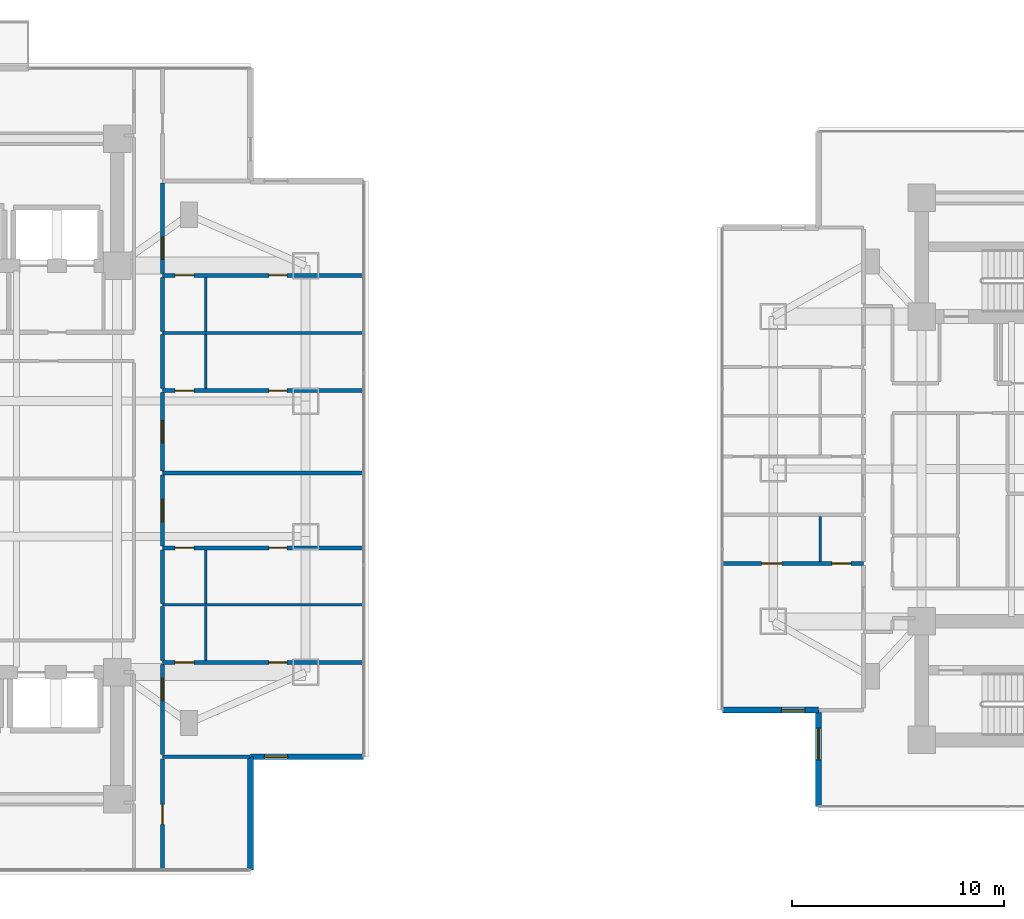
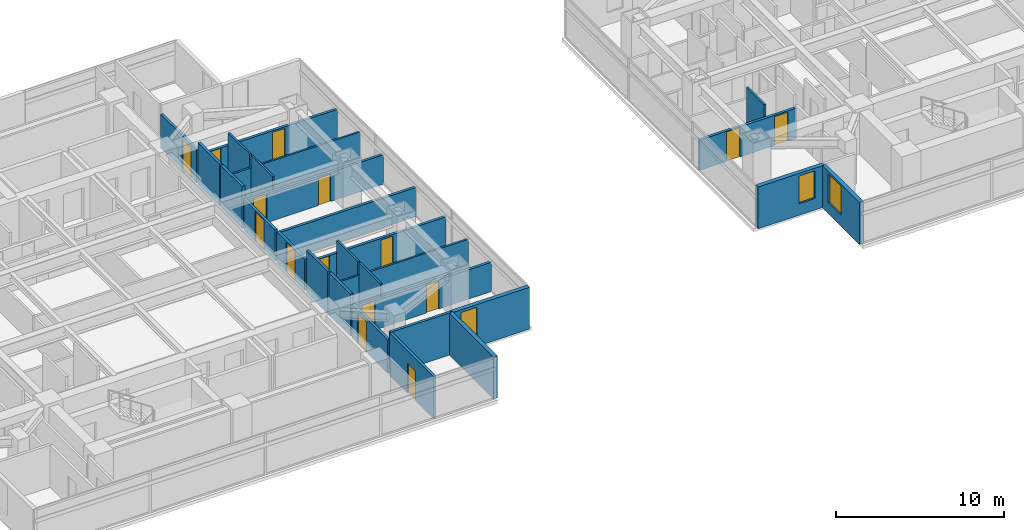
# One storey, part 15 of 25: 27 walls, 15 doors, 3 windows, 18 openings.
"""IFC4 building model written with IfcOpenShell, lengths in metres."""

from ifc_helpers import new_model, si_unit, direction, frame, frame_2d, origin, place, context, subcontext, project, spatial, rectangle, extrude, material, layer, layer_set, type_object, element, fill, save


model = new_model("IFC4")

# Units and contexts
model_context = context("Model", 3, precision=1e-05, world=origin(), true_north=direction((0.0, 1.0)))
body_context = subcontext(model_context, "Body", "Model", "MODEL_VIEW")
ifc_project = project(units=[si_unit("LENGTHUNIT", "METRE"), si_unit("AREAUNIT", "SQUARE_METRE"), si_unit("VOLUMEUNIT", "CUBIC_METRE"), si_unit("PLANEANGLEUNIT", "RADIAN"), si_unit("MASSUNIT", "GRAM", prefix="KILO")], contexts=[model_context])

# Site, building, storey
site_placement = place(None, origin())
site = spatial("IfcSite", under=ifc_project, at=site_placement, CompositionType="ELEMENT")
building_placement = place(site_placement, origin())
building = spatial("IfcBuilding", under=site, at=building_placement, Name="Mirazonda Arch Towers", CompositionType="ELEMENT")
storey_placement = place(building_placement, frame((0.0, 0.0, 58.699951171875)))
storey = spatial("IfcBuildingStorey", under=building, at=storey_placement, Name="L16", CompositionType="ELEMENT", Elevation=58.699951171875)

# Wall, opening, window
ifc_material_1 = material(Name="Precast Concrete C40/50", Category="concrete")
ifc_layer_1 = layer(ifc_material_1, 0.280029296875, Name="WALL-EXT-WALL-280")
ifc_layer_set_1 = layer_set([ifc_layer_1], Name="Precast Concrete C40/50")
wall_type_1 = type_object("IfcWallType", Name="WALL-EXT-WALL-280", PredefinedType="SOLIDWALL", material=ifc_layer_set_1)
wall_1_placement = place(storey_placement, frame((36.300048828125, 14.404052734375, 0.0), z_axis=(0.0, 0.0, 1.0), x_axis=(1.0, 0.0, 0.0)))
wall_1 = element("IfcWall", 1, at=wall_1_placement, inside=storey, type_object=wall_type_1, Name="L16 T1 Corner Notch Return Wall WL-L16-T1-CSE1", PredefinedType="SOLIDWALL", context=body_context, shape_type="SweptSolid", body=[
    extrude(rectangle(XDim=5.33984375, YDim=0.280029296875, at=frame_2d((2.669921875, 0.0))), origin(), (0.0, 0.0, 1.0), 3.0400390625),
])
opening_1_placement = place(wall_1_placement, frame((0.64990234375, 0.0, 0.85009765625)))
opening_1 = element("IfcOpeningElement", 2, at=opening_1_placement, cuts=wall_1, Name="Opening WN-108", PredefinedType="OPENING", context=body_context, shape_type="SweptSolid", body=[
    extrude(rectangle(XDim=1.10009765625, YDim=2.0, at=frame_2d((0.550048828125, 1.0))), frame((0.0, 0.14990234375, 0.0), z_axis=(0.0, -1.0, 0.0), x_axis=(1.0, 0.0, 0.0)), (0.0, 0.0, 1.0), 0.300048828125),
])
ifc_material_2 = material(Name="Insulated Low-E Solar Glass", Category="glass")
window_type_1 = type_object("IfcWindowType", Name="WIN-NOTCH-1100x2000", PartitioningType="SINGLE_PANEL", PredefinedType="WINDOW", material=ifc_material_2)
window_1_placement = place(opening_1_placement, origin())
window_1 = element("IfcWindow", 3, at=window_1_placement, inside=storey, type_object=window_type_1, Name="L16 Punched Facade Window WN-L16-T1-CSE1", OverallHeight=2.0, OverallWidth=1.10009765625, PartitioningType="SINGLE_PANEL", PredefinedType="WINDOW", context=body_context, shape_type="SweptSolid", body=[
    extrude(rectangle(XDim=1.10009765625, YDim=2.0, at=frame_2d((0.550048828125, 1.0))), frame((0.0, 0.030029296875, 0.0), z_axis=(0.0, -1.0, 0.0), x_axis=(1.0, 0.0, 0.0)), (0.0, 0.0, 1.0), 0.06005859375),
])
fill(opening_1, window_1)

# Wall
wall_2_placement = place(storey_placement, frame((36.300048828125, 9.06396484375, 0.0), z_axis=(0.0, 0.0, 1.0), x_axis=(0.0, 1.0, 0.0)))
element("IfcWall", 4, at=wall_2_placement, inside=storey, type_object=wall_type_1, Name="L16 T1 Corner Notch Return Wall WL-L16-T1-CSE2", PredefinedType="SOLIDWALL", context=body_context, shape_type="SweptSolid", body=[
    extrude(rectangle(XDim=5.340087890625, YDim=0.280029296875, at=frame_2d((2.669921875, 0.0))), origin(), (0.0, 0.0, 1.0), 3.0400390625),
])

# Wall, opening, window
wall_3_placement = place(storey_placement, frame((63.1298828125, 16.603515625, 0.0), z_axis=(0.0, 0.0, 1.0), x_axis=(0.0, -1.0, 0.0)))
wall_3 = element("IfcWall", 5, at=wall_3_placement, inside=storey, type_object=wall_type_1, Name="L16 T2 Notched SW Corner Wall WL-L16-T2-CSW", PredefinedType="SOLIDWALL", context=body_context, shape_type="SweptSolid", body=[
    extrude(rectangle(XDim=4.546142578125, YDim=0.280029296875, at=frame_2d((2.27294921875, 0.0))), origin(), (0.0, 0.0, 1.0), 3.0400390625),
])
opening_2_placement = place(wall_3_placement, frame((0.85009765625, 0.0, 0.7900390625)))
opening_2 = element("IfcOpeningElement", 6, at=opening_2_placement, cuts=wall_3, Name="Opening WN-120", PredefinedType="OPENING", context=body_context, shape_type="SweptSolid", body=[
    extrude(rectangle(XDim=1.5, YDim=2.10009765625, at=frame_2d((0.75, 1.050048828125))), frame((0.0, 0.14990234375, 0.0), z_axis=(0.0, -1.0, 0.0), x_axis=(1.0, 0.0, 0.0)), (0.0, 0.0, 1.0), 0.300048828125),
])
window_type_2 = type_object("IfcWindowType", Name="WIN-HTL-1500x2100", PartitioningType="SINGLE_PANEL", PredefinedType="WINDOW", material=ifc_material_2)
window_2_placement = place(opening_2_placement, origin())
window_2 = element("IfcWindow", 7, at=window_2_placement, inside=storey, type_object=window_type_2, Name="L16 Punched Facade Window WN-L16-T2-CSW", OverallHeight=2.10009765625, OverallWidth=1.5, PartitioningType="SINGLE_PANEL", PredefinedType="WINDOW", context=body_context, shape_type="SweptSolid", body=[
    extrude(rectangle(XDim=1.5, YDim=2.10009765625, at=frame_2d((0.75, 1.050048828125))), frame((0.0, 0.030029296875, 0.0), z_axis=(0.0, -1.0, 0.0), x_axis=(1.0, 0.0, 0.0)), (0.0, 0.0, 1.0), 0.06005859375),
])
fill(opening_2, window_2)

wall_4_placement = place(storey_placement, frame((58.583984375, 16.603515625, 0.0), z_axis=(0.0, 0.0, 1.0), x_axis=(1.0, 0.0, 0.0)))
wall_4 = element("IfcWall", 8, at=wall_4_placement, inside=storey, type_object=wall_type_1, Name="L16 T2 Corner Notch Return Wall WL-L16-T2-CSW2", PredefinedType="SOLIDWALL", context=body_context, shape_type="SweptSolid", body=[
    extrude(rectangle(XDim=4.5458984375, YDim=0.280029296875, at=frame_2d((2.27294921875, 0.0))), origin(), (0.0, 0.0, 1.0), 3.0400390625),
])
opening_3_placement = place(wall_4_placement, frame((2.7958984375, 0.0, 0.85009765625)))
opening_3 = element("IfcOpeningElement", 9, at=opening_3_placement, cuts=wall_4, Name="Opening WN-108", PredefinedType="OPENING", context=body_context, shape_type="SweptSolid", body=[
    extrude(rectangle(XDim=1.10009765625, YDim=2.0, at=frame_2d((0.550048828125, 1.0))), frame((0.0, 0.14990234375, 0.0), z_axis=(0.0, -1.0, 0.0), x_axis=(1.0, 0.0, 0.0)), (0.0, 0.0, 1.0), 0.300048828125),
])
window_3_placement = place(opening_3_placement, origin())
window_3 = element("IfcWindow", 10, at=window_3_placement, inside=storey, type_object=window_type_1, Name="L16 Punched Facade Window WN-L16-T2-CSW2", OverallHeight=2.0, OverallWidth=1.10009765625, PartitioningType="SINGLE_PANEL", PredefinedType="WINDOW", context=body_context, shape_type="SweptSolid", body=[
    extrude(rectangle(XDim=1.10009765625, YDim=2.0, at=frame_2d((0.550048828125, 1.0))), frame((0.0, 0.030029296875, 0.0), z_axis=(0.0, -1.0, 0.0), x_axis=(1.0, 0.0, 0.0)), (0.0, 0.0, 1.0), 0.06005859375),
])
fill(opening_3, window_3)

# Wall
ifc_material_3 = material(Name="Fire-Rated Gypsum Twin-Stud Assembly")
ifc_layer_2 = layer(ifc_material_3, 0.179931640625, Name="WALL-PART-DEMISE-180")
ifc_layer_set_2 = layer_set([ifc_layer_2], Name="Fire-Rated Gypsum Twin-Stud Assembly")
wall_type_2 = type_object("IfcWallType", Name="WALL-PART-DEMISE-180", PredefinedType="PARTITIONING", material=ifc_layer_set_2)
wall_5_placement = place(storey_placement, frame((32.139892578125, 14.404052734375, 0.0), z_axis=(0.0, 0.0, 1.0), x_axis=(1.0, 0.0, 0.0)))
element("IfcWall", 11, at=wall_5_placement, inside=storey, type_object=wall_type_2, Name="L16 Interior Partition 005", PredefinedType="PARTITIONING", context=body_context, shape_type="SweptSolid", body=[
    extrude(rectangle(XDim=4.14013671875, YDim=0.179931640625, at=frame_2d((2.070068359375, 0.0))), origin(), (0.0, 0.0, 1.0), 3.06005859375),
])

# Wall, openings, doors
wall_6_placement = place(storey_placement, frame((32.139892578125, 18.85693359375, 0.0), z_axis=(0.0, 0.0, 1.0), x_axis=(1.0, 0.0, 0.0)))
wall_6 = element("IfcWall", 12, at=wall_6_placement, inside=storey, type_object=wall_type_2, Name="L16 Interior Partition 015", PredefinedType="PARTITIONING", context=body_context, shape_type="SweptSolid", body=[
    extrude(rectangle(XDim=9.5, YDim=0.179931640625, at=frame_2d((4.75, 0.0))), origin(), (0.0, 0.0, 1.0), 2.125),
])
opening_4_placement = place(wall_6_placement, frame((5.02490234375, 0.0, 0.0)))
opening_4 = element("IfcOpeningElement", 13, at=opening_4_placement, cuts=wall_6, Name="Opening DR-128", PredefinedType="OPENING", context=body_context, shape_type="SweptSolid", body=[
    extrude(rectangle(XDim=0.85009765625, YDim=2.010009765625, at=frame_2d((0.425048828125, 1.0048828125))), frame((0.0, 0.099853515625, 0.0), z_axis=(0.0, -1.0, 0.0), x_axis=(1.0, 0.0, 0.0)), (0.0, 0.0, 1.0), 0.199951171875),
])
opening_5_placement = place(wall_6_placement, frame((0.590087890625, 0.0, 0.0)))
opening_5 = element("IfcOpeningElement", 14, at=opening_5_placement, cuts=wall_6, Name="Opening DR-120", PredefinedType="OPENING", context=body_context, shape_type="SweptSolid", body=[
    extrude(rectangle(XDim=0.89990234375, YDim=2.10009765625, at=frame_2d((0.449951171875, 1.050048828125))), frame((0.0, 0.099853515625, 0.0), z_axis=(0.0, -1.0, 0.0), x_axis=(1.0, 0.0, 0.0)), (0.0, 0.0, 1.0), 0.199951171875),
])
ifc_material_4 = material(Name="Architectural Brushed Steel S355", Category="steel")
door_type_1 = type_object("IfcDoorType", Name="DOOR-RISER-FD60-850", OperationType="NOTDEFINED", PredefinedType="DOOR", material=ifc_material_4)
door_1_placement = place(opening_4_placement, origin())
door_1 = element("IfcDoor", 15, at=door_1_placement, inside=storey, type_object=door_type_1, Name="L16 Guestroom Study 1 Door", OperationType="SINGLE_SWING_LEFT", OverallHeight=2.010009765625, OverallWidth=0.85009765625, PredefinedType="DOOR", context=body_context, shape_type="SweptSolid", body=[
    extrude(rectangle(XDim=0.85009765625, YDim=2.010009765625, at=frame_2d((0.425048828125, 1.0048828125))), frame((0.0, 0.02490234375, 0.0), z_axis=(0.0, -1.0, 0.0), x_axis=(1.0, 0.0, 0.0)), (0.0, 0.0, 1.0), 0.050048828125),
])
fill(opening_4, door_1)
door_type_2 = type_object("IfcDoorType", Name="DOOR-WC-900", OperationType="NOTDEFINED", PredefinedType="DOOR", material=ifc_material_4)
door_2_placement = place(opening_5_placement, origin())
door_2 = element("IfcDoor", 16, at=door_2_placement, inside=storey, type_object=door_type_2, Name="L16 En-Suite Bathroom 1 Door", OperationType="SINGLE_SWING_RIGHT", OverallHeight=2.10009765625, OverallWidth=0.89990234375, PredefinedType="DOOR", context=body_context, shape_type="SweptSolid", body=[
    extrude(rectangle(XDim=0.89990234375, YDim=2.10009765625, at=frame_2d((0.449951171875, 1.050048828125))), frame((0.0, 0.02490234375, 0.0), z_axis=(0.0, -1.0, 0.0), x_axis=(1.0, 0.0, 0.0)), (0.0, 0.0, 1.0), 0.050048828125),
])
fill(opening_5, door_2)

wall_7_placement = place(storey_placement, frame((58.583984375, 23.533935546875, 0.0), z_axis=(0.0, 0.0, 1.0), x_axis=(1.0, 0.0, 0.0)))
wall_7 = element("IfcWall", 17, at=wall_7_placement, inside=storey, type_object=wall_type_2, Name="L16 Interior Partition 024", PredefinedType="PARTITIONING", context=body_context, shape_type="SweptSolid", body=[
    extrude(rectangle(XDim=6.666015625, YDim=0.179931640625, at=frame_2d((3.3330078125, 0.0))), origin(), (0.0, 0.0, 1.0), 2.196044921875),
])
opening_6_placement = place(wall_7_placement, frame((1.85791015625, 0.0, 0.0)))
opening_6 = element("IfcOpeningElement", 18, at=opening_6_placement, cuts=wall_7, Name="Opening DR-104", PredefinedType="OPENING", context=body_context, shape_type="SweptSolid", body=[
    extrude(rectangle(XDim=0.949951171875, YDim=2.14990234375, at=frame_2d((0.47509765625, 1.074951171875))), frame((0.0, 0.099853515625, 0.0), z_axis=(0.0, -1.0, 0.0), x_axis=(1.0, 0.0, 0.0)), (0.0, 0.0, 1.0), 0.199951171875),
])
opening_7_placement = place(wall_7_placement, frame((5.176025390625, 0.0, 0.0)))
opening_7 = element("IfcOpeningElement", 19, at=opening_7_placement, cuts=wall_7, Name="Opening DR-120", PredefinedType="OPENING", context=body_context, shape_type="SweptSolid", body=[
    extrude(rectangle(XDim=0.89990234375, YDim=2.10009765625, at=frame_2d((0.449951171875, 1.050048828125))), frame((0.0, 0.099853515625, 0.0), z_axis=(0.0, -1.0, 0.0), x_axis=(1.0, 0.0, 0.0)), (0.0, 0.0, 1.0), 0.199951171875),
])
door_type_3 = type_object("IfcDoorType", Name="DOOR-ROOM-950", OperationType="NOTDEFINED", PredefinedType="DOOR", material=ifc_material_4)
door_3_placement = place(opening_6_placement, origin())
door_3 = element("IfcDoor", 20, at=door_3_placement, inside=storey, type_object=door_type_3, Name="L16 Guestroom Study 1 Door", OperationType="SINGLE_SWING_RIGHT", OverallHeight=2.14990234375, OverallWidth=0.949951171875, PredefinedType="DOOR", context=body_context, shape_type="SweptSolid", body=[
    extrude(rectangle(XDim=0.949951171875, YDim=2.14990234375, at=frame_2d((0.47509765625, 1.074951171875))), frame((0.0, 0.02490234375, 0.0), z_axis=(0.0, -1.0, 0.0), x_axis=(1.0, 0.0, 0.0)), (0.0, 0.0, 1.0), 0.050048828125),
])
fill(opening_6, door_3)
door_4_placement = place(opening_7_placement, origin())
door_4 = element("IfcDoor", 21, at=door_4_placement, inside=storey, type_object=door_type_2, Name="L16 En-Suite Bathroom 1 Door", OperationType="SINGLE_SWING_LEFT", OverallHeight=2.10009765625, OverallWidth=0.89990234375, PredefinedType="DOOR", context=body_context, shape_type="SweptSolid", body=[
    extrude(rectangle(XDim=0.89990234375, YDim=2.10009765625, at=frame_2d((0.449951171875, 1.050048828125))), frame((0.0, 0.02490234375, 0.0), z_axis=(0.0, -1.0, 0.0), x_axis=(1.0, 0.0, 0.0)), (0.0, 0.0, 1.0), 0.050048828125),
])
fill(opening_7, door_4)

wall_8_placement = place(storey_placement, frame((32.139892578125, 24.27099609375, 0.0), z_axis=(0.0, 0.0, 1.0), x_axis=(1.0, 0.0, 0.0)))
wall_8 = element("IfcWall", 22, at=wall_8_placement, inside=storey, type_object=wall_type_2, Name="L16 Interior Partition 026", PredefinedType="PARTITIONING", context=body_context, shape_type="SweptSolid", body=[
    extrude(rectangle(XDim=9.5, YDim=0.179931640625, at=frame_2d((4.75, 0.0))), origin(), (0.0, 0.0, 1.0), 2.125),
])
opening_8_placement = place(wall_8_placement, frame((5.02490234375, 0.0, 0.0)))
opening_8 = element("IfcOpeningElement", 23, at=opening_8_placement, cuts=wall_8, Name="Opening DR-128", PredefinedType="OPENING", context=body_context, shape_type="SweptSolid", body=[
    extrude(rectangle(XDim=0.85009765625, YDim=2.010009765625, at=frame_2d((0.425048828125, 1.0048828125))), frame((0.0, 0.099853515625, 0.0), z_axis=(0.0, -1.0, 0.0), x_axis=(1.0, 0.0, 0.0)), (0.0, 0.0, 1.0), 0.199951171875),
])
opening_9_placement = place(wall_8_placement, frame((0.590087890625, 0.0, 0.0)))
opening_9 = element("IfcOpeningElement", 24, at=opening_9_placement, cuts=wall_8, Name="Opening DR-120", PredefinedType="OPENING", context=body_context, shape_type="SweptSolid", body=[
    extrude(rectangle(XDim=0.89990234375, YDim=2.10009765625, at=frame_2d((0.449951171875, 1.050048828125))), frame((0.0, 0.099853515625, 0.0), z_axis=(0.0, -1.0, 0.0), x_axis=(1.0, 0.0, 0.0)), (0.0, 0.0, 1.0), 0.199951171875),
])
door_5_placement = place(opening_8_placement, origin())
door_5 = element("IfcDoor", 25, at=door_5_placement, inside=storey, type_object=door_type_1, Name="L16 Guestroom Study 2 Door", OperationType="SINGLE_SWING_RIGHT", OverallHeight=2.010009765625, OverallWidth=0.85009765625, PredefinedType="DOOR", context=body_context, shape_type="SweptSolid", body=[
    extrude(rectangle(XDim=0.85009765625, YDim=2.010009765625, at=frame_2d((0.425048828125, 1.0048828125))), frame((0.0, 0.02490234375, 0.0), z_axis=(0.0, -1.0, 0.0), x_axis=(1.0, 0.0, 0.0)), (0.0, 0.0, 1.0), 0.050048828125),
])
fill(opening_8, door_5)
door_6_placement = place(opening_9_placement, origin())
door_6 = element("IfcDoor", 26, at=door_6_placement, inside=storey, type_object=door_type_2, Name="L16 En-Suite Bathroom 2 Door", OperationType="SINGLE_SWING_LEFT", OverallHeight=2.10009765625, OverallWidth=0.89990234375, PredefinedType="DOOR", context=body_context, shape_type="SweptSolid", body=[
    extrude(rectangle(XDim=0.89990234375, YDim=2.10009765625, at=frame_2d((0.449951171875, 1.050048828125))), frame((0.0, 0.02490234375, 0.0), z_axis=(0.0, -1.0, 0.0), x_axis=(1.0, 0.0, 0.0)), (0.0, 0.0, 1.0), 0.050048828125),
])
fill(opening_9, door_6)

# Wall
wall_9_placement = place(storey_placement, frame((32.139892578125, 27.81103515625, 0.0), z_axis=(0.0, 0.0, 1.0), x_axis=(1.0, 0.0, 0.0)))
element("IfcWall", 27, at=wall_9_placement, inside=storey, type_object=wall_type_2, Name="L16 Interior Partition 032", PredefinedType="PARTITIONING", context=body_context, shape_type="SweptSolid", body=[
    extrude(rectangle(XDim=9.5, YDim=0.179931640625, at=frame_2d((4.75, 0.0))), origin(), (0.0, 0.0, 1.0), 2.125),
])

# Wall, openings, doors
wall_10_placement = place(storey_placement, frame((32.139892578125, 31.702880859375, 0.0), z_axis=(0.0, 0.0, 1.0), x_axis=(1.0, 0.0, 0.0)))
wall_10 = element("IfcWall", 28, at=wall_10_placement, inside=storey, type_object=wall_type_2, Name="L16 Interior Partition 037", PredefinedType="PARTITIONING", context=body_context, shape_type="SweptSolid", body=[
    extrude(rectangle(XDim=9.5, YDim=0.179931640625, at=frame_2d((4.75, 0.0))), origin(), (0.0, 0.0, 1.0), 2.125),
])
opening_10_placement = place(wall_10_placement, frame((5.02490234375, 0.0, 0.0)))
opening_10 = element("IfcOpeningElement", 29, at=opening_10_placement, cuts=wall_10, Name="Opening DR-128", PredefinedType="OPENING", context=body_context, shape_type="SweptSolid", body=[
    extrude(rectangle(XDim=0.85009765625, YDim=2.010009765625, at=frame_2d((0.425048828125, 1.0048828125))), frame((0.0, 0.099853515625, 0.0), z_axis=(0.0, -1.0, 0.0), x_axis=(1.0, 0.0, 0.0)), (0.0, 0.0, 1.0), 0.199951171875),
])
opening_11_placement = place(wall_10_placement, frame((0.590087890625, 0.0, 0.0)))
opening_11 = element("IfcOpeningElement", 30, at=opening_11_placement, cuts=wall_10, Name="Opening DR-120", PredefinedType="OPENING", context=body_context, shape_type="SweptSolid", body=[
    extrude(rectangle(XDim=0.89990234375, YDim=2.10009765625, at=frame_2d((0.449951171875, 1.050048828125))), frame((0.0, 0.099853515625, 0.0), z_axis=(0.0, -1.0, 0.0), x_axis=(1.0, 0.0, 0.0)), (0.0, 0.0, 1.0), 0.199951171875),
])
door_7_placement = place(opening_10_placement, origin())
door_7 = element("IfcDoor", 31, at=door_7_placement, inside=storey, type_object=door_type_1, Name="L16 Guestroom Study 3 Door", OperationType="SINGLE_SWING_LEFT", OverallHeight=2.010009765625, OverallWidth=0.85009765625, PredefinedType="DOOR", context=body_context, shape_type="SweptSolid", body=[
    extrude(rectangle(XDim=0.85009765625, YDim=2.010009765625, at=frame_2d((0.425048828125, 1.0048828125))), frame((0.0, 0.02490234375, 0.0), z_axis=(0.0, -1.0, 0.0), x_axis=(1.0, 0.0, 0.0)), (0.0, 0.0, 1.0), 0.050048828125),
])
fill(opening_10, door_7)
door_8_placement = place(opening_11_placement, origin())
door_8 = element("IfcDoor", 32, at=door_8_placement, inside=storey, type_object=door_type_2, Name="L16 En-Suite Bathroom 3 Door", OperationType="SINGLE_SWING_RIGHT", OverallHeight=2.10009765625, OverallWidth=0.89990234375, PredefinedType="DOOR", context=body_context, shape_type="SweptSolid", body=[
    extrude(rectangle(XDim=0.89990234375, YDim=2.10009765625, at=frame_2d((0.449951171875, 1.050048828125))), frame((0.0, 0.02490234375, 0.0), z_axis=(0.0, -1.0, 0.0), x_axis=(1.0, 0.0, 0.0)), (0.0, 0.0, 1.0), 0.050048828125),
])
fill(opening_11, door_8)

wall_11_placement = place(storey_placement, frame((32.139892578125, 37.14306640625, 0.0), z_axis=(0.0, 0.0, 1.0), x_axis=(1.0, 0.0, 0.0)))
wall_11 = element("IfcWall", 33, at=wall_11_placement, inside=storey, type_object=wall_type_2, Name="L16 Interior Partition 049", PredefinedType="PARTITIONING", context=body_context, shape_type="SweptSolid", body=[
    extrude(rectangle(XDim=9.5, YDim=0.179931640625, at=frame_2d((4.75, 0.0))), origin(), (0.0, 0.0, 1.0), 2.125),
])
opening_12_placement = place(wall_11_placement, frame((5.02490234375, 0.0, 0.0)))
opening_12 = element("IfcOpeningElement", 34, at=opening_12_placement, cuts=wall_11, Name="Opening DR-128", PredefinedType="OPENING", context=body_context, shape_type="SweptSolid", body=[
    extrude(rectangle(XDim=0.85009765625, YDim=2.010009765625, at=frame_2d((0.425048828125, 1.0048828125))), frame((0.0, 0.099853515625, 0.0), z_axis=(0.0, -1.0, 0.0), x_axis=(1.0, 0.0, 0.0)), (0.0, 0.0, 1.0), 0.199951171875),
])
opening_13_placement = place(wall_11_placement, frame((0.590087890625, 0.0, 0.0)))
opening_13 = element("IfcOpeningElement", 35, at=opening_13_placement, cuts=wall_11, Name="Opening DR-120", PredefinedType="OPENING", context=body_context, shape_type="SweptSolid", body=[
    extrude(rectangle(XDim=0.89990234375, YDim=2.10009765625, at=frame_2d((0.449951171875, 1.050048828125))), frame((0.0, 0.099853515625, 0.0), z_axis=(0.0, -1.0, 0.0), x_axis=(1.0, 0.0, 0.0)), (0.0, 0.0, 1.0), 0.199951171875),
])
door_9_placement = place(opening_12_placement, origin())
door_9 = element("IfcDoor", 36, at=door_9_placement, inside=storey, type_object=door_type_1, Name="L16 Guestroom Study 4 Door", OperationType="SINGLE_SWING_RIGHT", OverallHeight=2.010009765625, OverallWidth=0.85009765625, PredefinedType="DOOR", context=body_context, shape_type="SweptSolid", body=[
    extrude(rectangle(XDim=0.85009765625, YDim=2.010009765625, at=frame_2d((0.425048828125, 1.0048828125))), frame((0.0, 0.02490234375, 0.0), z_axis=(0.0, -1.0, 0.0), x_axis=(1.0, 0.0, 0.0)), (0.0, 0.0, 1.0), 0.050048828125),
])
fill(opening_12, door_9)
door_10_placement = place(opening_13_placement, origin())
door_10 = element("IfcDoor", 37, at=door_10_placement, inside=storey, type_object=door_type_2, Name="L16 En-Suite Bathroom 4 Door", OperationType="SINGLE_SWING_LEFT", OverallHeight=2.10009765625, OverallWidth=0.89990234375, PredefinedType="DOOR", context=body_context, shape_type="SweptSolid", body=[
    extrude(rectangle(XDim=0.89990234375, YDim=2.10009765625, at=frame_2d((0.449951171875, 1.050048828125))), frame((0.0, 0.02490234375, 0.0), z_axis=(0.0, -1.0, 0.0), x_axis=(1.0, 0.0, 0.0)), (0.0, 0.0, 1.0), 0.050048828125),
])
fill(opening_13, door_10)

# Wall, opening, door
wall_12_placement = place(storey_placement, frame((32.139892578125, 9.06396484375, 0.0), z_axis=(0.0, 0.0, 1.0), x_axis=(0.0, 1.0, 0.0)))
wall_12 = element("IfcWall", 38, at=wall_12_placement, inside=storey, type_object=wall_type_2, Name="L16 Interior Partition 103", PredefinedType="PARTITIONING", context=body_context, shape_type="SweptSolid", body=[
    extrude(rectangle(XDim=5.239990234375, YDim=0.179931640625, at=frame_2d((2.6201171875, 0.0))), origin(), (0.0, 0.0, 1.0), 3.06005859375),
])
opening_14_placement = place(wall_12_placement, frame((2.14501953125, 0.0, 0.0)))
opening_14 = element("IfcOpeningElement", 39, at=opening_14_placement, cuts=wall_12, Name="Opening DR-104", PredefinedType="OPENING", context=body_context, shape_type="SweptSolid", body=[
    extrude(rectangle(XDim=0.949951171875, YDim=2.14990234375, at=frame_2d((0.47509765625, 1.074951171875))), frame((0.0, 0.099853515625, 0.0), z_axis=(0.0, -1.0, 0.0), x_axis=(1.0, 0.0, 0.0)), (0.0, 0.0, 1.0), 0.199951171875),
])
door_11_placement = place(opening_14_placement, origin())
door_11 = element("IfcDoor", 40, at=door_11_placement, inside=storey, type_object=door_type_3, Name="L16 South Horizon Lounge Alcove East Door", OperationType="SINGLE_SWING_LEFT", OverallHeight=2.14990234375, OverallWidth=0.949951171875, PredefinedType="DOOR", context=body_context, shape_type="SweptSolid", body=[
    extrude(rectangle(XDim=0.949951171875, YDim=2.14990234375, at=frame_2d((0.47509765625, 1.074951171875))), frame((0.0, 0.02490234375, 0.0), z_axis=(0.0, -1.0, 0.0), x_axis=(1.0, 0.0, 0.0)), (0.0, 0.0, 1.0), 0.050048828125),
])
fill(opening_14, door_11)

wall_13_placement = place(storey_placement, frame((32.139892578125, 14.50390625, 0.0), z_axis=(0.0, 0.0, 1.0), x_axis=(0.0, 1.0, 0.0)))
wall_13 = element("IfcWall", 41, at=wall_13_placement, inside=storey, type_object=wall_type_2, Name="L16 Interior Partition 104", PredefinedType="PARTITIONING", context=body_context, shape_type="SweptSolid", body=[
    extrude(rectangle(XDim=4.253173828125, YDim=0.179931640625, at=frame_2d((2.12646484375, 0.0))), origin(), (0.0, 0.0, 1.0), 2.43603515625),
])
opening_15_placement = place(wall_13_placement, frame((2.551513671875, 0.0, 0.0)))
opening_15 = element("IfcOpeningElement", 42, at=opening_15_placement, cuts=wall_13, Name="Opening DR-121", PredefinedType="OPENING", context=body_context, shape_type="SweptSolid", body=[
    extrude(rectangle(XDim=1.050048828125, YDim=2.199951171875, at=frame_2d((0.52490234375, 1.10009765625))), frame((0.0, 0.099853515625, 0.0), z_axis=(0.0, -1.0, 0.0), x_axis=(1.0, 0.0, 0.0)), (0.0, 0.0, 1.0), 0.199951171875),
])
door_type_4 = type_object("IfcDoorType", Name="DOOR-SUITE-FD60-1050", OperationType="NOTDEFINED", PredefinedType="DOOR", material=ifc_material_4)
door_12_placement = place(opening_15_placement, origin())
door_12 = element("IfcDoor", 43, at=door_12_placement, inside=storey, type_object=door_type_4, Name="L16 King Hotel Guestroom 1 Door", OperationType="SINGLE_SWING_RIGHT", OverallHeight=2.199951171875, OverallWidth=1.050048828125, PredefinedType="DOOR", context=body_context, shape_type="SweptSolid", body=[
    extrude(rectangle(XDim=1.050048828125, YDim=2.199951171875, at=frame_2d((0.52490234375, 1.10009765625))), frame((0.0, 0.02490234375, 0.0), z_axis=(0.0, -1.0, 0.0), x_axis=(1.0, 0.0, 0.0)), (0.0, 0.0, 1.0), 0.050048828125),
])
fill(opening_15, door_12)

# Walls
wall_14_placement = place(storey_placement, frame((32.139892578125, 18.95703125, 0.0), z_axis=(0.0, 0.0, 1.0), x_axis=(0.0, 1.0, 0.0)))
element("IfcWall", 44, at=wall_14_placement, inside=storey, type_object=wall_type_2, Name="L16 Interior Partition 105", PredefinedType="PARTITIONING", context=body_context, shape_type="SweptSolid", body=[
    extrude(rectangle(XDim=2.54736328125, YDim=0.179931640625, at=frame_2d((1.273681640625, 0.0))), origin(), (0.0, 0.0, 1.0), 3.06005859375),
])
wall_15_placement = place(storey_placement, frame((32.139892578125, 21.6494140625, 0.0), z_axis=(0.0, 0.0, 1.0), x_axis=(0.0, 1.0, 0.0)))
element("IfcWall", 45, at=wall_15_placement, inside=storey, type_object=wall_type_2, Name="L16 Interior Partition 106", PredefinedType="PARTITIONING", context=body_context, shape_type="SweptSolid", body=[
    extrude(rectangle(XDim=2.521484375, YDim=0.179931640625, at=frame_2d((1.2607421875, 0.0))), origin(), (0.0, 0.0, 1.0), 3.06005859375),
])

# Wall, opening, door
wall_16_placement = place(storey_placement, frame((32.139892578125, 24.37109375, 0.0), z_axis=(0.0, 0.0, 1.0), x_axis=(0.0, 1.0, 0.0)))
wall_16 = element("IfcWall", 46, at=wall_16_placement, inside=storey, type_object=wall_type_2, Name="L16 Interior Partition 107", PredefinedType="PARTITIONING", context=body_context, shape_type="SweptSolid", body=[
    extrude(rectangle(XDim=3.33984375, YDim=0.179931640625, at=frame_2d((1.669921875, 0.0))), origin(), (0.0, 0.0, 1.0), 2.279052734375),
])
opening_16_placement = place(wall_16_placement, frame((1.14501953125, 0.0, 0.0)))
opening_16 = element("IfcOpeningElement", 47, at=opening_16_placement, cuts=wall_16, Name="Opening DR-121", PredefinedType="OPENING", context=body_context, shape_type="SweptSolid", body=[
    extrude(rectangle(XDim=1.050048828125, YDim=2.199951171875, at=frame_2d((0.52490234375, 1.10009765625))), frame((0.0, 0.099853515625, 0.0), z_axis=(0.0, -1.0, 0.0), x_axis=(1.0, 0.0, 0.0)), (0.0, 0.0, 1.0), 0.199951171875),
])
door_13_placement = place(opening_16_placement, origin())
door_13 = element("IfcDoor", 48, at=door_13_placement, inside=storey, type_object=door_type_4, Name="L16 Twin Hotel Guestroom 2 Door", OperationType="SINGLE_SWING_LEFT", OverallHeight=2.199951171875, OverallWidth=1.050048828125, PredefinedType="DOOR", context=body_context, shape_type="SweptSolid", body=[
    extrude(rectangle(XDim=1.050048828125, YDim=2.199951171875, at=frame_2d((0.52490234375, 1.10009765625))), frame((0.0, 0.02490234375, 0.0), z_axis=(0.0, -1.0, 0.0), x_axis=(1.0, 0.0, 0.0)), (0.0, 0.0, 1.0), 0.050048828125),
])
fill(opening_16, door_13)

wall_17_placement = place(storey_placement, frame((32.139892578125, 27.910888671875, 0.0), z_axis=(0.0, 0.0, 1.0), x_axis=(0.0, 1.0, 0.0)))
wall_17 = element("IfcWall", 49, at=wall_17_placement, inside=storey, type_object=wall_type_2, Name="L16 Interior Partition 108", PredefinedType="PARTITIONING", context=body_context, shape_type="SweptSolid", body=[
    extrude(rectangle(XDim=3.692138671875, YDim=0.179931640625, at=frame_2d((1.84619140625, 0.0))), origin(), (0.0, 0.0, 1.0), 2.279052734375),
])
opening_17_placement = place(wall_17_placement, frame((1.321044921875, 0.0, 0.0)))
opening_17 = element("IfcOpeningElement", 50, at=opening_17_placement, cuts=wall_17, Name="Opening DR-121", PredefinedType="OPENING", context=body_context, shape_type="SweptSolid", body=[
    extrude(rectangle(XDim=1.050048828125, YDim=2.199951171875, at=frame_2d((0.52490234375, 1.10009765625))), frame((0.0, 0.099853515625, 0.0), z_axis=(0.0, -1.0, 0.0), x_axis=(1.0, 0.0, 0.0)), (0.0, 0.0, 1.0), 0.199951171875),
])
door_14_placement = place(opening_17_placement, origin())
door_14 = element("IfcDoor", 51, at=door_14_placement, inside=storey, type_object=door_type_4, Name="L16 King Hotel Guestroom 3 Door", OperationType="SINGLE_SWING_RIGHT", OverallHeight=2.199951171875, OverallWidth=1.050048828125, PredefinedType="DOOR", context=body_context, shape_type="SweptSolid", body=[
    extrude(rectangle(XDim=1.050048828125, YDim=2.199951171875, at=frame_2d((0.52490234375, 1.10009765625))), frame((0.0, 0.02490234375, 0.0), z_axis=(0.0, -1.0, 0.0), x_axis=(1.0, 0.0, 0.0)), (0.0, 0.0, 1.0), 0.050048828125),
])
fill(opening_17, door_14)

# Walls
wall_18_placement = place(storey_placement, frame((32.139892578125, 31.802978515625, 0.0), z_axis=(0.0, 0.0, 1.0), x_axis=(0.0, 1.0, 0.0)))
element("IfcWall", 52, at=wall_18_placement, inside=storey, type_object=wall_type_2, Name="L16 Interior Partition 109", PredefinedType="PARTITIONING", context=body_context, shape_type="SweptSolid", body=[
    extrude(rectangle(XDim=2.547607421875, YDim=0.179931640625, at=frame_2d((1.27392578125, 0.0))), origin(), (0.0, 0.0, 1.0), 3.06005859375),
])
wall_19_placement = place(storey_placement, frame((32.139892578125, 34.49560546875, 0.0), z_axis=(0.0, 0.0, 1.0), x_axis=(0.0, 1.0, 0.0)))
element("IfcWall", 53, at=wall_19_placement, inside=storey, type_object=wall_type_2, Name="L16 Interior Partition 110", PredefinedType="PARTITIONING", context=body_context, shape_type="SweptSolid", body=[
    extrude(rectangle(XDim=2.54736328125, YDim=0.179931640625, at=frame_2d((1.273681640625, 0.0))), origin(), (0.0, 0.0, 1.0), 3.06005859375),
])

# Wall, opening, door
wall_20_placement = place(storey_placement, frame((32.139892578125, 37.242919921875, 0.0), z_axis=(0.0, 0.0, 1.0), x_axis=(0.0, 1.0, 0.0)))
wall_20 = element("IfcWall", 54, at=wall_20_placement, inside=storey, type_object=wall_type_2, Name="L16 Interior Partition 111", PredefinedType="PARTITIONING", context=body_context, shape_type="SweptSolid", body=[
    extrude(rectangle(XDim=4.253173828125, YDim=0.179931640625, at=frame_2d((2.12646484375, 0.0))), origin(), (0.0, 0.0, 1.0), 2.43603515625),
])
opening_18_placement = place(wall_20_placement, frame((0.651611328125, 0.0, 0.0)))
opening_18 = element("IfcOpeningElement", 55, at=opening_18_placement, cuts=wall_20, Name="Opening DR-121", PredefinedType="OPENING", context=body_context, shape_type="SweptSolid", body=[
    extrude(rectangle(XDim=1.050048828125, YDim=2.199951171875, at=frame_2d((0.52490234375, 1.10009765625))), frame((0.0, 0.099853515625, 0.0), z_axis=(0.0, -1.0, 0.0), x_axis=(1.0, 0.0, 0.0)), (0.0, 0.0, 1.0), 0.199951171875),
])
door_15_placement = place(opening_18_placement, origin())
door_15 = element("IfcDoor", 56, at=door_15_placement, inside=storey, type_object=door_type_4, Name="L16 Twin Hotel Guestroom 4 Door", OperationType="SINGLE_SWING_LEFT", OverallHeight=2.199951171875, OverallWidth=1.050048828125, PredefinedType="DOOR", context=body_context, shape_type="SweptSolid", body=[
    extrude(rectangle(XDim=1.050048828125, YDim=2.199951171875, at=frame_2d((0.52490234375, 1.10009765625))), frame((0.0, 0.02490234375, 0.0), z_axis=(0.0, -1.0, 0.0), x_axis=(1.0, 0.0, 0.0)), (0.0, 0.0, 1.0), 0.050048828125),
])
fill(opening_18, door_15)

# Walls
ifc_material_5 = material(Name="Acoustic Fire-Rated Gypsum Partition")
ifc_layer_3 = layer(ifc_material_5, 0.125, Name="WALL-PART-UNIT-125")
ifc_layer_set_3 = layer_set([ifc_layer_3], Name="Acoustic Fire-Rated Gypsum Partition")
wall_type_3 = type_object("IfcWallType", Name="WALL-PART-UNIT-125", PredefinedType="PARTITIONING", material=ifc_layer_set_3)
for number, where, z_axis, x_axis, name in (
    (57, (32.139892578125, 21.576904296875, 0.0), (0.0, 0.0, 1.0), (1.0, 0.0, 0.0), "L16 Interior Partition 021"),
    (58, (32.139892578125, 34.423095703125, 0.0), (0.0, 0.0, 1.0), (1.0, 0.0, 0.0), "L16 Interior Partition 042"),
):
    element("IfcWall", number, at=place(storey_placement, frame(where, z_axis=z_axis, x_axis=x_axis)), inside=storey, type_object=wall_type_3, Name=name, PredefinedType="PARTITIONING", context=body_context, shape_type="SweptSolid", body=[
        extrude(rectangle(XDim=9.5, YDim=0.125, at=frame_2d((4.75, 0.0))), origin(), (0.0, 0.0, 1.0), 2.125),
    ])
wall_21_placement = place(storey_placement, frame((34.179931640625, 18.95703125, 0.0), z_axis=(0.0, 0.0, 1.0), x_axis=(0.0, 1.0, 0.0)))
element("IfcWall", 59, at=wall_21_placement, inside=storey, type_object=wall_type_3, Name="L16 Interior Partition 113", PredefinedType="PARTITIONING", context=body_context, shape_type="SweptSolid", body=[
    extrude(rectangle(XDim=2.54736328125, YDim=0.125, at=frame_2d((1.273681640625, 0.0))), origin(), (0.0, 0.0, 1.0), 3.06005859375),
])
wall_22_placement = place(storey_placement, frame((34.179931640625, 21.6494140625, 0.0), z_axis=(0.0, 0.0, 1.0), x_axis=(0.0, 1.0, 0.0)))
element("IfcWall", 60, at=wall_22_placement, inside=storey, type_object=wall_type_3, Name="L16 Interior Partition 114", PredefinedType="PARTITIONING", context=body_context, shape_type="SweptSolid", body=[
    extrude(rectangle(XDim=2.521484375, YDim=0.125, at=frame_2d((1.2607421875, 0.0))), origin(), (0.0, 0.0, 1.0), 3.06005859375),
])
wall_23_placement = place(storey_placement, frame((34.179931640625, 31.802978515625, 0.0), z_axis=(0.0, 0.0, 1.0), x_axis=(0.0, 1.0, 0.0)))
element("IfcWall", 61, at=wall_23_placement, inside=storey, type_object=wall_type_3, Name="L16 Interior Partition 115", PredefinedType="PARTITIONING", context=body_context, shape_type="SweptSolid", body=[
    extrude(rectangle(XDim=2.547607421875, YDim=0.125, at=frame_2d((1.27392578125, 0.0))), origin(), (0.0, 0.0, 1.0), 3.06005859375),
])
wall_24_placement = place(storey_placement, frame((34.179931640625, 34.49560546875, 0.0), z_axis=(0.0, 0.0, 1.0), x_axis=(0.0, 1.0, 0.0)))
element("IfcWall", 62, at=wall_24_placement, inside=storey, type_object=wall_type_3, Name="L16 Interior Partition 116", PredefinedType="PARTITIONING", context=body_context, shape_type="SweptSolid", body=[
    extrude(rectangle(XDim=2.54736328125, YDim=0.125, at=frame_2d((1.273681640625, 0.0))), origin(), (0.0, 0.0, 1.0), 3.06005859375),
])
wall_25_placement = place(storey_placement, frame((63.2099609375, 23.634033203125, 0.0), z_axis=(0.0, 0.0, 1.0), x_axis=(0.0, 1.0, 0.0)))
element("IfcWall", 63, at=wall_25_placement, inside=storey, type_object=wall_type_3, Name="L16 Interior Partition 117", PredefinedType="PARTITIONING", context=body_context, shape_type="SweptSolid", body=[
    extrude(rectangle(XDim=2.114990234375, YDim=0.125, at=frame_2d((1.0576171875, 0.0))), origin(), (0.0, 0.0, 1.0), 3.06005859375),
])

save(model, "model.ifc")
